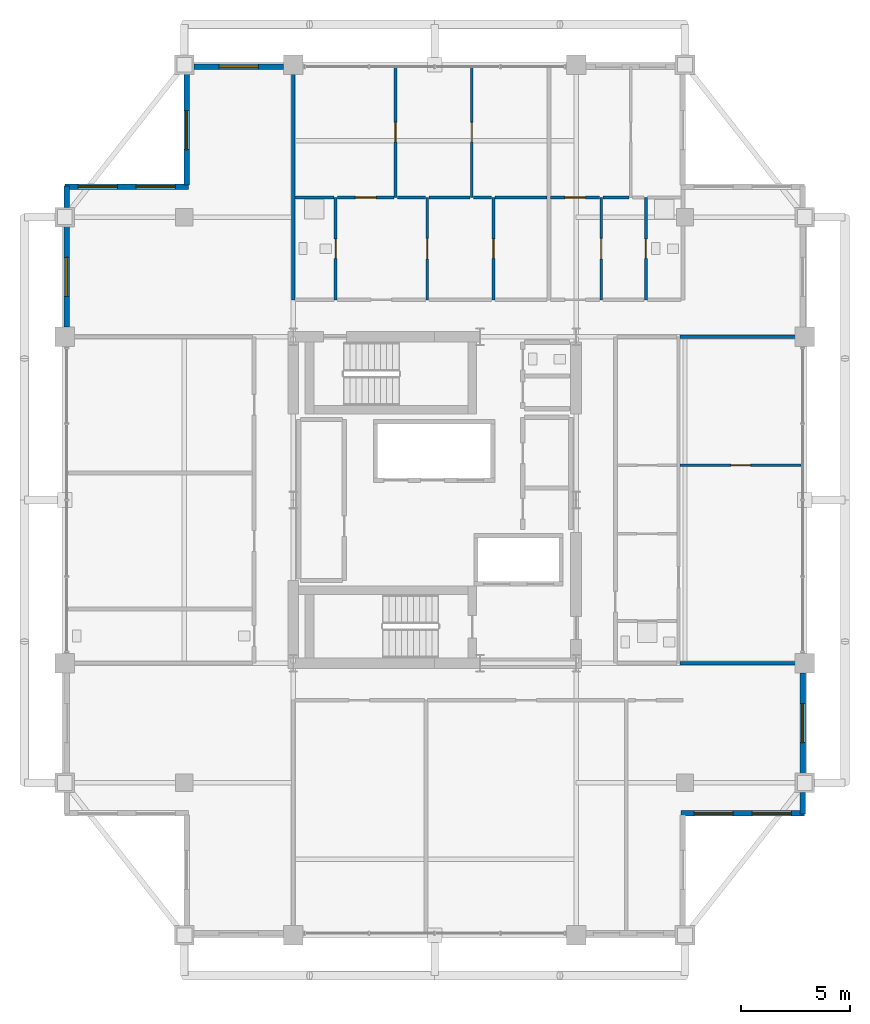
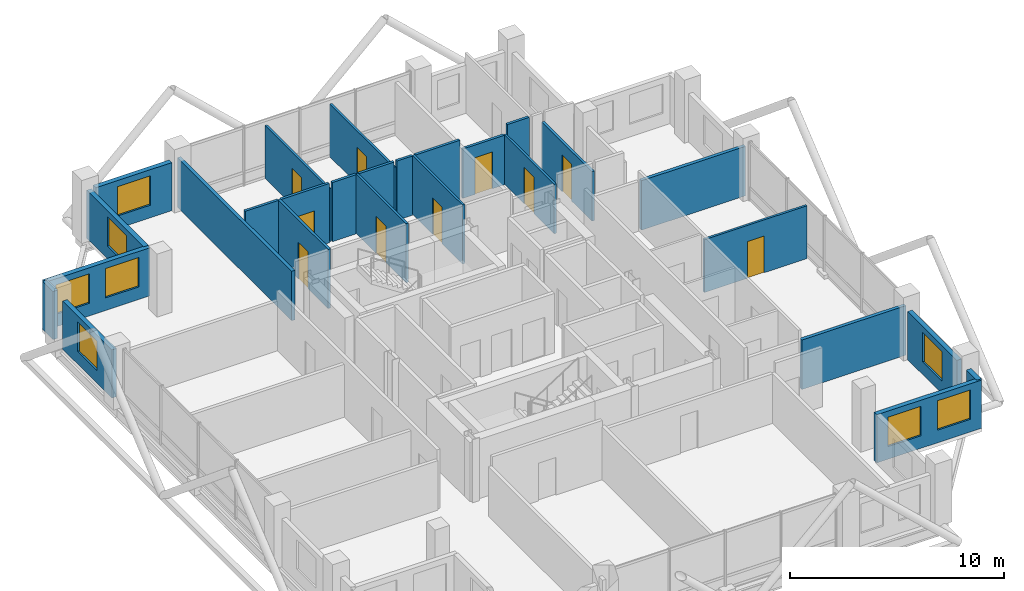
# One storey, part 21 of 24: 27 walls, 10 doors, 8 windows, 18 openings.
"""IFC4 building model written with IfcOpenShell, lengths in metres."""

import ifcopenshell
import ifcopenshell.guid

model = None  # the IFC model being written
_history = None  # IfcOwnerHistory: only IFC2X3 demands one
_inside = {}  # id of a spatial element -> (the spatial element, [elements in it])
_under = {}  # id of a project, library or spatial element -> (it, [spatial elements below it])
_declared = {}  # id of a project -> (the project, [libraries it declares])
_typed = {}  # id of a type object -> (the type object, [elements of that type])
_made_of = {}  # id of a material, layer set ... -> (it, [elements and type objects made of it])


def new_model(schema):
    """Start an empty IFC model of exactly this schema.

    Asked for "IFC4X3", IfcOpenShell would pick the latest addendum, in which some entities
    have other attributes; the version numbers below select the first issue.
    IFC2X3 requires an IfcOwnerHistory on every rooted entity: one is made here for all.
    """
    global model, _history
    if schema == "IFC4X3":
        model = ifcopenshell.file(schema_version=(4, 3, 0, 0))
    else:
        model = ifcopenshell.file(schema=schema)
    _inside.clear()
    _under.clear()
    _declared.clear()
    _typed.clear()
    _made_of.clear()
    _history = None
    if model.schema == "IFC2X3":
        org = make("IfcOrganization", Name="unknown")
        user = make(
            "IfcPersonAndOrganization",
            ThePerson=make("IfcPerson", FamilyName="unknown"),
            TheOrganization=org,
        )
        app = make(
            "IfcApplication",
            ApplicationDeveloper=org,
            Version="unknown",
            ApplicationFullName="unknown",
            ApplicationIdentifier="unknown",
        )
        _history = make(
            "IfcOwnerHistory",
            OwningUser=user,
            OwningApplication=app,
            ChangeAction="ADDED",
            CreationDate=0,
        )
    return model


def make(cls, **values):
    """One entity of the class cls with the attributes given. An attribute that is None is left unset."""
    return model.create_entity(
        cls, **{name: value for name, value in values.items() if value is not None}
    )


def rooted(cls, **values):
    """An entity with a GlobalId (a new one), such as an element, a storey or a relation."""
    return make(cls, GlobalId=ifcopenshell.guid.new(), OwnerHistory=_history, **values)


def si_unit(unit_type, name, prefix=None):
    """IfcSIUnit, for example si_unit("LENGTHUNIT", "METRE", prefix="MILLI")."""
    return make("IfcSIUnit", UnitType=unit_type, Prefix=prefix, Name=name)


def assignment(units):
    """IfcUnitAssignment: the units of a project."""
    return None if units is None else make("IfcUnitAssignment", Units=units)


def point(xyz):
    """IfcCartesianPoint."""
    return None if xyz is None else make("IfcCartesianPoint", Coordinates=xyz)


def direction(xyz):
    """IfcDirection."""
    return None if xyz is None else make("IfcDirection", DirectionRatios=xyz)


def frame(location, z_axis=None, x_axis=None):
    """IfcAxis2Placement3D, a coordinate frame: its origin and axes. An axis left out is left unset."""
    return make(
        "IfcAxis2Placement3D",
        Location=point(location),
        Axis=direction(z_axis),
        RefDirection=direction(x_axis),
    )


def frame_2d(location, x_axis=None):
    """IfcAxis2Placement2D, a coordinate frame in the plane: its origin and x axis."""
    return make(
        "IfcAxis2Placement2D", Location=point(location), RefDirection=direction(x_axis)
    )


def origin():
    """The frame at (0, 0, 0) with its axes left unset."""
    return frame((0.0, 0.0, 0.0))


def place(relative_to, where):
    """IfcLocalPlacement: puts the frame where relative to a parent placement (None: the world)."""
    return make(
        "IfcLocalPlacement", PlacementRelTo=relative_to, RelativePlacement=where
    )


def context(
    kind, dimensions, precision=None, world=None, true_north=None, identifier=None
):
    """IfcGeometricRepresentationContext, for example the 3D "Model" context."""
    return make(
        "IfcGeometricRepresentationContext",
        ContextIdentifier=identifier,
        ContextType=kind,
        CoordinateSpaceDimension=dimensions,
        Precision=precision,
        WorldCoordinateSystem=world,
        TrueNorth=true_north,
    )


def subcontext(parent, identifier, kind, view, scale=None):
    """IfcGeometricRepresentationSubContext, for example "Body" below "Model"."""
    return make(
        "IfcGeometricRepresentationSubContext",
        ContextIdentifier=identifier,
        ContextType=kind,
        ParentContext=parent,
        TargetScale=scale,
        TargetView=view,
    )


def project(units=None, contexts=None):
    """IfcProject with its units and contexts."""
    return rooted(
        "IfcProject",
        Name="project",
        RepresentationContexts=contexts,
        UnitsInContext=assignment(units),
    )


def spatial(cls, under=None, at=None, **own):
    """A site, building, storey or space (cls), placed at a placement, below another one or the project."""
    s = rooted(cls, ObjectPlacement=at, **own)
    if under is not None:
        _under.setdefault(under.id(), (under, []))[1].append(s)
    return s


def profile(cls, at=None, kind="AREA", **sizes):
    """A parametric profile (cls). Its sizes go by their IFC names, for example OverallWidth=200.0."""
    return make(cls, ProfileType=kind, Position=at, **sizes)


def rectangle(**sizes):
    """IfcRectangleProfileDef."""
    return profile("IfcRectangleProfileDef", **sizes)


def extrude(swept, where, along, depth):
    """IfcExtrudedAreaSolid: the profile swept, set in the frame where, extruded along a direction by depth."""
    return make(
        "IfcExtrudedAreaSolid",
        SweptArea=swept,
        Position=where,
        ExtrudedDirection=direction(along),
        Depth=depth,
    )


def shape(context_of_items, identifier, shape_type, items):
    """IfcShapeRepresentation: the items that make up one representation, for example the "Body"."""
    return make(
        "IfcShapeRepresentation",
        ContextOfItems=context_of_items,
        RepresentationIdentifier=identifier,
        RepresentationType=shape_type,
        Items=items,
    )


def material(Name=None, Category=None):
    """IfcMaterial."""
    return make("IfcMaterial", Name=Name, Category=Category)


def layer(
    of_material, thickness, ventilated=None, Name=None, Category=None, Priority=None
):
    """IfcMaterialLayer: one layer of a wall or slab, of a material (None: an air gap)."""
    return make(
        "IfcMaterialLayer",
        Material=of_material,
        LayerThickness=thickness,
        IsVentilated=ventilated,
        Name=Name,
        Category=Category,
        Priority=Priority,
    )


def layer_set(layers, Name=None):
    """IfcMaterialLayerSet."""
    return make("IfcMaterialLayerSet", MaterialLayers=layers, LayerSetName=Name)


def made_of(thing, what):
    """Note that an element or type object is made of a material, layer set ...; save() writes the relation."""
    if what is not None:
        _made_of.setdefault(what.id(), (what, []))[1].append(thing)
    return thing


def type_object(cls, material=None, **own):
    """A type object (cls), such as IfcWallType, which elements share."""
    return made_of(rooted(cls, **own), material)


def element(
    cls,
    number,
    at=None,
    inside=None,
    cuts=None,
    type_object=None,
    material=None,
    context=None,
    identifier="Body",
    shape_type=None,
    held_by="IfcProductDefinitionShape",
    body=None,
    shapes=None,
    **own,
):
    """One element of the class cls, such as IfcWall. Its Tag is "e" and its number.

    at: its placement. inside: the storey or other place that contains it. cuts: it is an
    opening in that element (IfcRelVoidsElement). A single representation is given by context,
    identifier, shape_type and body (its items); several are given by shapes. held_by: the class
    of the entity that holds the representations. save() writes the other relations.
    """
    e = rooted(cls, Tag="e%d" % number, ObjectPlacement=at, **own)
    if body is not None:
        shapes = [shape(context, identifier, shape_type, body)]
    if shapes is not None:
        e.Representation = make(held_by, Representations=shapes)
    if inside is not None:
        _inside.setdefault(inside.id(), (inside, []))[1].append(e)
    if cuts is not None:
        rooted(
            "IfcRelVoidsElement", RelatingBuildingElement=cuts, RelatedOpeningElement=e
        )
    if type_object is not None:
        _typed.setdefault(type_object.id(), (type_object, []))[1].append(e)
    return made_of(e, material)


def fill(opening, filler):
    """IfcRelFillsElement: the door or window that sits in an opening."""
    return rooted(
        "IfcRelFillsElement",
        RelatingOpeningElement=opening,
        RelatedBuildingElement=filler,
    )


def aggregate(whole, parts):
    """IfcRelAggregates: a whole, such as a stair, and the parts it consists of."""
    return rooted("IfcRelAggregates", RelatingObject=whole, RelatedObjects=parts)


def save(model, path):
    """Write the relations noted so far, then the file.

    IfcRelAggregates (storeys below a building ...), IfcRelContainedInSpatialStructure (elements
    in a storey), IfcRelDefinesByType, IfcRelAssociatesMaterial and IfcRelDeclares: one each for
    every whole, place, type object, material and project.
    """
    for whole, parts in _under.values():
        aggregate(whole, parts)
    for where, things in _inside.values():
        rooted(
            "IfcRelContainedInSpatialStructure",
            RelatedElements=things,
            RelatingStructure=where,
        )
    for kind, things in _typed.values():
        rooted("IfcRelDefinesByType", RelatedObjects=things, RelatingType=kind)
    for what, things in _made_of.values():
        rooted("IfcRelAssociatesMaterial", RelatedObjects=things, RelatingMaterial=what)
    for by, libraries in _declared.values():
        rooted("IfcRelDeclares", RelatingContext=by, RelatedDefinitions=libraries)
    model.write(path)


model = new_model("IFC4")

# Units and contexts
model_context = context("Model", 3, precision=1e-05, world=origin(), true_north=direction((0.0, 1.0)))
body_context = subcontext(model_context, "Body", "Model", "MODEL_VIEW")
ifc_project = project(units=[si_unit("LENGTHUNIT", "METRE"), si_unit("AREAUNIT", "SQUARE_METRE"), si_unit("VOLUMEUNIT", "CUBIC_METRE"), si_unit("PLANEANGLEUNIT", "RADIAN"), si_unit("MASSUNIT", "GRAM", prefix="KILO")], contexts=[model_context])

# Site, building, storey
site_placement = place(None, origin())
site = spatial("IfcSite", under=ifc_project, at=site_placement, CompositionType="ELEMENT")
building_placement = place(site_placement, origin())
building = spatial("IfcBuilding", under=site, at=building_placement, Name="Barlavira Tower and Art Museum", CompositionType="ELEMENT")
storey_placement = place(building_placement, frame((0.0, 0.0, 283.5)))
storey = spatial("IfcBuildingStorey", under=building, at=storey_placement, Name="L74", CompositionType="ELEMENT", Elevation=283.5)

# Wall, opening, door
ifc_material_1 = material(Name="Gypsum acoustic stud partition", Category="gypsum")
ifc_layer_1 = layer(ifc_material_1, 0.1201171875, Name="Gypsum acoustic stud partition")
ifc_layer_set_1 = layer_set([ifc_layer_1], Name="Gypsum acoustic stud partition")
wall_type_1 = type_object("IfcWallType", Name="Apartment Internal Acoustic Partition 120", PredefinedType="PARTITIONING", material=ifc_layer_set_1)
wall_1_placement = place(storey_placement, frame((-1.800048828125, 13.89990234375, 0.0), z_axis=(0.0, 0.0, 1.0), x_axis=(0.0, 1.0, 0.0)))
wall_1 = element("IfcWall", 1, at=wall_1_placement, inside=storey, type_object=wall_type_1, Name="L74 Partition Wall 7", PredefinedType="PARTITIONING", context=body_context, shape_type="SweptSolid", body=[
    extrude(rectangle(XDim=6.0, YDim=0.1201171875, at=frame_2d((3.0, 0.0))), origin(), (0.0, 0.0, 1.0), 3.01806640625),
])
opening_1_placement = place(wall_1_placement, frame((2.550048828125, 0.0, 0.0)))
opening_1 = element("IfcOpeningElement", 2, at=opening_1_placement, cuts=wall_1, Name="Opening D-01", PredefinedType="OPENING", context=body_context, shape_type="SweptSolid", body=[
    extrude(rectangle(XDim=0.89990234375, YDim=2.10009765625, at=frame_2d((0.449951171875, 1.050048828125))), frame((0.0, 0.070068359375, 0.0), z_axis=(0.0, -1.0, 0.0), x_axis=(1.0, 0.0, 0.0)), (0.0, 0.0, 1.0), 0.14013671875),
])
ifc_material_2 = material(Name="Engineered coastal hardwood", Category="wood")
door_type_1 = type_object("IfcDoorType", Name="Internal Bedroom Timber Flush Door 900x2100", OperationType="NOTDEFINED", PredefinedType="DOOR", material=ifc_material_2)
door_1_placement = place(opening_1_placement, origin())
door_1 = element("IfcDoor", 3, at=door_1_placement, inside=storey, type_object=door_type_1, Name="Apartment N1 Bedroom 1 Door", OperationType="SINGLE_SWING_LEFT", OverallHeight=2.10009765625, OverallWidth=0.89990234375, PredefinedType="DOOR", context=body_context, shape_type="SweptSolid", body=[
    extrude(rectangle(XDim=0.89990234375, YDim=2.10009765625, at=frame_2d((0.449951171875, 1.050048828125))), frame((0.0, 0.02490234375, 0.0), z_axis=(0.0, -1.0, 0.0), x_axis=(1.0, 0.0, 0.0)), (0.0, 0.0, 1.0), 0.050048828125),
])
fill(opening_1, door_1)

wall_2_placement = place(storey_placement, frame((-0.35009765625, 9.199951171875, 0.0), z_axis=(0.0, 0.0, 1.0), x_axis=(0.0, 1.0, 0.0)))
wall_2 = element("IfcWall", 4, at=wall_2_placement, inside=storey, type_object=wall_type_1, Name="L74 Partition Wall 9", PredefinedType="PARTITIONING", context=body_context, shape_type="SweptSolid", body=[
    extrude(rectangle(XDim=4.699951171875, YDim=0.1201171875, at=frame_2d((2.35009765625, 0.0))), origin(), (0.0, 0.0, 1.0), 3.3798828125),
])
opening_2_placement = place(wall_2_placement, frame((1.875, 0.0, 0.0)))
opening_2 = element("IfcOpeningElement", 5, at=opening_2_placement, cuts=wall_2, Name="Opening D-02", PredefinedType="OPENING", context=body_context, shape_type="SweptSolid", body=[
    extrude(rectangle(XDim=0.949951171875, YDim=2.10009765625, at=frame_2d((0.47509765625, 1.050048828125))), frame((0.0, 0.070068359375, 0.0), z_axis=(0.0, -1.0, 0.0), x_axis=(1.0, 0.0, 0.0)), (0.0, 0.0, 1.0), 0.14013671875),
])
door_type_2 = type_object("IfcDoorType", Name="Living and Salon Glazed-Leaf Door 950x2100", OperationType="NOTDEFINED", PredefinedType="DOOR", material=ifc_material_2)
door_2_placement = place(opening_2_placement, origin())
door_2 = element("IfcDoor", 6, at=door_2_placement, inside=storey, type_object=door_type_2, Name="Apartment N1 Kitchen Door", OperationType="SINGLE_SWING_RIGHT", OverallHeight=2.10009765625, OverallWidth=0.949951171875, PredefinedType="DOOR", context=body_context, shape_type="SweptSolid", body=[
    extrude(rectangle(XDim=0.949951171875, YDim=2.10009765625, at=frame_2d((0.47509765625, 1.050048828125))), frame((0.0, 0.02490234375, 0.0), z_axis=(0.0, -1.0, 0.0), x_axis=(1.0, 0.0, 0.0)), (0.0, 0.0, 1.0), 0.050048828125),
])
fill(opening_2, door_2)

wall_3_placement = place(storey_placement, frame((1.699951171875, 13.89990234375, 0.0), z_axis=(0.0, 0.0, 1.0), x_axis=(0.0, 1.0, 0.0)))
wall_3 = element("IfcWall", 7, at=wall_3_placement, inside=storey, type_object=wall_type_1, Name="L74 Partition Wall 10", PredefinedType="PARTITIONING", context=body_context, shape_type="SweptSolid", body=[
    extrude(rectangle(XDim=6.0, YDim=0.1201171875, at=frame_2d((3.0, 0.0))), origin(), (0.0, 0.0, 1.0), 3.01806640625),
])
opening_3_placement = place(wall_3_placement, frame((2.550048828125, 0.0, 0.0)))
opening_3 = element("IfcOpeningElement", 8, at=opening_3_placement, cuts=wall_3, Name="Opening D-01", PredefinedType="OPENING", context=body_context, shape_type="SweptSolid", body=[
    extrude(rectangle(XDim=0.89990234375, YDim=2.10009765625, at=frame_2d((0.449951171875, 1.050048828125))), frame((0.0, 0.070068359375, 0.0), z_axis=(0.0, -1.0, 0.0), x_axis=(1.0, 0.0, 0.0)), (0.0, 0.0, 1.0), 0.14013671875),
])
door_3_placement = place(opening_3_placement, origin())
door_3 = element("IfcDoor", 9, at=door_3_placement, inside=storey, type_object=door_type_1, Name="Apartment N1 Bedroom 2 Door", OperationType="SINGLE_SWING_RIGHT", OverallHeight=2.10009765625, OverallWidth=0.89990234375, PredefinedType="DOOR", context=body_context, shape_type="SweptSolid", body=[
    extrude(rectangle(XDim=0.89990234375, YDim=2.10009765625, at=frame_2d((0.449951171875, 1.050048828125))), frame((0.0, 0.02490234375, 0.0), z_axis=(0.0, -1.0, 0.0), x_axis=(1.0, 0.0, 0.0)), (0.0, 0.0, 1.0), 0.050048828125),
])
fill(opening_3, door_3)

wall_4_placement = place(storey_placement, frame((2.699951171875, 9.199951171875, 0.0), z_axis=(0.0, 0.0, 1.0), x_axis=(0.0, 1.0, 0.0)))
wall_4 = element("IfcWall", 10, at=wall_4_placement, inside=storey, type_object=wall_type_1, Name="L74 Partition Wall 11", PredefinedType="PARTITIONING", context=body_context, shape_type="SweptSolid", body=[
    extrude(rectangle(XDim=4.699951171875, YDim=0.1201171875, at=frame_2d((2.35009765625, 0.0))), origin(), (0.0, 0.0, 1.0), 3.3798828125),
])
opening_4_placement = place(wall_4_placement, frame((1.89990234375, 0.0, 0.0)))
opening_4 = element("IfcOpeningElement", 11, at=opening_4_placement, cuts=wall_4, Name="Opening D-01", PredefinedType="OPENING", context=body_context, shape_type="SweptSolid", body=[
    extrude(rectangle(XDim=0.89990234375, YDim=2.10009765625, at=frame_2d((0.449951171875, 1.050048828125))), frame((0.0, 0.070068359375, 0.0), z_axis=(0.0, -1.0, 0.0), x_axis=(1.0, 0.0, 0.0)), (0.0, 0.0, 1.0), 0.14013671875),
])
door_4_placement = place(opening_4_placement, origin())
door_4 = element("IfcDoor", 12, at=door_4_placement, inside=storey, type_object=door_type_1, Name="Apartment N1 Walk-In Dressing Room Door", OperationType="SINGLE_SWING_LEFT", OverallHeight=2.10009765625, OverallWidth=0.89990234375, PredefinedType="DOOR", context=body_context, shape_type="SweptSolid", body=[
    extrude(rectangle(XDim=0.89990234375, YDim=2.10009765625, at=frame_2d((0.449951171875, 1.050048828125))), frame((0.0, 0.02490234375, 0.0), z_axis=(0.0, -1.0, 0.0), x_axis=(1.0, 0.0, 0.0)), (0.0, 0.0, 1.0), 0.050048828125),
])
fill(opening_4, door_4)

wall_5_placement = place(storey_placement, frame((7.64990234375, 9.199951171875, 0.0), z_axis=(0.0, 0.0, 1.0), x_axis=(0.0, 1.0, 0.0)))
wall_5 = element("IfcWall", 13, at=wall_5_placement, inside=storey, type_object=wall_type_1, Name="L74 Partition Wall 16", PredefinedType="PARTITIONING", context=body_context, shape_type="SweptSolid", body=[
    extrude(rectangle(XDim=4.699951171875, YDim=0.1201171875, at=frame_2d((2.35009765625, 0.0))), origin(), (0.0, 0.0, 1.0), 2.825927734375),
])
opening_5_placement = place(wall_5_placement, frame((1.875, 0.0, 0.0)))
opening_5 = element("IfcOpeningElement", 14, at=opening_5_placement, cuts=wall_5, Name="Opening D-02", PredefinedType="OPENING", context=body_context, shape_type="SweptSolid", body=[
    extrude(rectangle(XDim=0.949951171875, YDim=2.10009765625, at=frame_2d((0.47509765625, 1.050048828125))), frame((0.0, 0.070068359375, 0.0), z_axis=(0.0, -1.0, 0.0), x_axis=(1.0, 0.0, 0.0)), (0.0, 0.0, 1.0), 0.14013671875),
])
door_5_placement = place(opening_5_placement, origin())
door_5 = element("IfcDoor", 15, at=door_5_placement, inside=storey, type_object=door_type_2, Name="Apartment N2 Kitchen Door", OperationType="SINGLE_SWING_RIGHT", OverallHeight=2.10009765625, OverallWidth=0.949951171875, PredefinedType="DOOR", context=body_context, shape_type="SweptSolid", body=[
    extrude(rectangle(XDim=0.949951171875, YDim=2.10009765625, at=frame_2d((0.47509765625, 1.050048828125))), frame((0.0, 0.02490234375, 0.0), z_axis=(0.0, -1.0, 0.0), x_axis=(1.0, 0.0, 0.0)), (0.0, 0.0, 1.0), 0.050048828125),
])
fill(opening_5, door_5)

wall_6_placement = place(storey_placement, frame((11.280029296875, 1.60009765625, 0.0), z_axis=(0.0, 0.0, 1.0), x_axis=(1.0, 0.0, 0.0)))
wall_6 = element("IfcWall", 16, at=wall_6_placement, inside=storey, type_object=wall_type_1, Name="L74 Partition Wall 36", PredefinedType="PARTITIONING", context=body_context, shape_type="SweptSolid", body=[
    extrude(rectangle(XDim=5.5400390625, YDim=0.1201171875, at=frame_2d((2.77001953125, 0.0))), origin(), (0.0, 0.0, 1.0), 3.01806640625),
])
opening_6_placement = place(wall_6_placement, frame((2.330078125, 0.0, 0.0)))
opening_6 = element("IfcOpeningElement", 17, at=opening_6_placement, cuts=wall_6, Name="Opening D-01", PredefinedType="OPENING", context=body_context, shape_type="SweptSolid", body=[
    extrude(rectangle(XDim=0.89990234375, YDim=2.10009765625, at=frame_2d((0.449951171875, 1.050048828125))), frame((0.0, 0.070068359375, 0.0), z_axis=(0.0, -1.0, 0.0), x_axis=(1.0, 0.0, 0.0)), (0.0, 0.0, 1.0), 0.14013671875),
])
door_6_placement = place(opening_6_placement, origin())
door_6 = element("IfcDoor", 18, at=door_6_placement, inside=storey, type_object=door_type_1, Name="Apartment E1 Bedroom 1 Door", OperationType="SINGLE_SWING_RIGHT", OverallHeight=2.10009765625, OverallWidth=0.89990234375, PredefinedType="DOOR", context=body_context, shape_type="SweptSolid", body=[
    extrude(rectangle(XDim=0.89990234375, YDim=2.10009765625, at=frame_2d((0.449951171875, 1.050048828125))), frame((0.0, 0.02490234375, 0.0), z_axis=(0.0, -1.0, 0.0), x_axis=(1.0, 0.0, 0.0)), (0.0, 0.0, 1.0), 0.050048828125),
])
fill(opening_6, door_6)

# Walls
ifc_layer_2 = layer(ifc_material_1, 0.179931640625, Name="Gypsum acoustic stud partition")
ifc_layer_set_2 = layer_set([ifc_layer_2], Name="Gypsum acoustic stud partition")
wall_type_2 = type_object("IfcWallType", Name="Inter-Tenancy Party Partition Wall 180", PredefinedType="PARTITIONING", material=ifc_layer_set_2)
wall_7_placement = place(storey_placement, frame((-6.5, 9.199951171875, 0.0), z_axis=(0.0, 0.0, 1.0), x_axis=(0.0, 1.0, 0.0)))
element("IfcWall", 19, at=wall_7_placement, inside=storey, type_object=wall_type_2, Name="L74 Partition Wall 3", PredefinedType="PARTITIONING", context=body_context, shape_type="SweptSolid", body=[
    extrude(rectangle(XDim=10.699951171875, YDim=0.179931640625, at=frame_2d((5.35009765625, 0.0))), origin(), (0.0, 0.0, 1.0), 2.825927734375),
])
for number, where, z_axis, x_axis, name in (
    (20, (11.280029296875, -7.5, 0.0), (0.0, 0.0, 1.0), (1.0, 0.0, 0.0), "L74 Partition Wall 28"),
    (21, (11.280029296875, 7.5, 0.0), (0.0, 0.0, 1.0), (1.0, 0.0, 0.0), "L74 Partition Wall 44"),
):
    element("IfcWall", number, at=place(storey_placement, frame(where, z_axis=z_axis, x_axis=x_axis)), inside=storey, type_object=wall_type_2, Name=name, PredefinedType="PARTITIONING", context=body_context, shape_type="SweptSolid", body=[
        extrude(rectangle(XDim=5.619873046875, YDim=0.179931640625, at=frame_2d((2.81005859375, 0.0))), origin(), (0.0, 0.0, 1.0), 2.825927734375),
    ])

# Wall, opening, door
ifc_layer_3 = layer(ifc_material_1, 0.139892578125, Name="Gypsum acoustic stud partition")
ifc_layer_set_3 = layer_set([ifc_layer_3], Name="Gypsum acoustic stud partition")
wall_type_3 = type_object("IfcWallType", Name="Moisture-Resistant Bathroom Partition 140", PredefinedType="PARTITIONING", material=ifc_layer_set_3)
wall_8_placement = place(storey_placement, frame((-4.550048828125, 9.199951171875, 0.0), z_axis=(0.0, 0.0, 1.0), x_axis=(0.0, 1.0, 0.0)))
wall_8 = element("IfcWall", 22, at=wall_8_placement, inside=storey, type_object=wall_type_3, Name="L74 Partition Wall 5", PredefinedType="PARTITIONING", context=body_context, shape_type="SweptSolid", body=[
    extrude(rectangle(XDim=4.699951171875, YDim=0.139892578125, at=frame_2d((2.35009765625, 0.0))), origin(), (0.0, 0.0, 1.0), 3.3798828125),
])
opening_7_placement = place(wall_8_placement, frame((1.89990234375, 0.0, 0.0)))
opening_7 = element("IfcOpeningElement", 23, at=opening_7_placement, cuts=wall_8, Name="Opening D-WC", PredefinedType="OPENING", context=body_context, shape_type="SweptSolid", body=[
    extrude(rectangle(XDim=0.89990234375, YDim=2.10009765625, at=frame_2d((0.449951171875, 1.050048828125))), frame((0.0, 0.080078125, 0.0), z_axis=(0.0, -1.0, 0.0), x_axis=(1.0, 0.0, 0.0)), (0.0, 0.0, 1.0), 0.159912109375),
])
door_type_3 = type_object("IfcDoorType", Name="Accessible Bathroom Flush Door 900x2100", OperationType="NOTDEFINED", PredefinedType="DOOR", material=ifc_material_2)
door_7_placement = place(opening_7_placement, origin())
door_7 = element("IfcDoor", 24, at=door_7_placement, inside=storey, type_object=door_type_3, Name="Apartment N1 Hall Bathroom Door", OperationType="SINGLE_SWING_RIGHT", OverallHeight=2.10009765625, OverallWidth=0.89990234375, PredefinedType="DOOR", context=body_context, shape_type="SweptSolid", body=[
    extrude(rectangle(XDim=0.89990234375, YDim=2.10009765625, at=frame_2d((0.449951171875, 1.050048828125))), frame((0.0, 0.02490234375, 0.0), z_axis=(0.0, -1.0, 0.0), x_axis=(1.0, 0.0, 0.0)), (0.0, 0.0, 1.0), 0.050048828125),
])
fill(opening_7, door_7)

wall_9_placement = place(storey_placement, frame((9.699951171875, 9.199951171875, 0.0), z_axis=(0.0, 0.0, 1.0), x_axis=(0.0, 1.0, 0.0)))
wall_9 = element("IfcWall", 25, at=wall_9_placement, inside=storey, type_object=wall_type_3, Name="L74 Partition Wall 20", PredefinedType="PARTITIONING", context=body_context, shape_type="SweptSolid", body=[
    extrude(rectangle(XDim=4.699951171875, YDim=0.139892578125, at=frame_2d((2.35009765625, 0.0))), origin(), (0.0, 0.0, 1.0), 2.825927734375),
])
opening_8_placement = place(wall_9_placement, frame((1.89990234375, 0.0, 0.0)))
opening_8 = element("IfcOpeningElement", 26, at=opening_8_placement, cuts=wall_9, Name="Opening D-WC", PredefinedType="OPENING", context=body_context, shape_type="SweptSolid", body=[
    extrude(rectangle(XDim=0.89990234375, YDim=2.10009765625, at=frame_2d((0.449951171875, 1.050048828125))), frame((0.0, 0.080078125, 0.0), z_axis=(0.0, -1.0, 0.0), x_axis=(1.0, 0.0, 0.0)), (0.0, 0.0, 1.0), 0.159912109375),
])
door_8_placement = place(opening_8_placement, origin())
door_8 = element("IfcDoor", 27, at=door_8_placement, inside=storey, type_object=door_type_3, Name="Apartment N2 Hall Bathroom Door", OperationType="SINGLE_SWING_LEFT", OverallHeight=2.10009765625, OverallWidth=0.89990234375, PredefinedType="DOOR", context=body_context, shape_type="SweptSolid", body=[
    extrude(rectangle(XDim=0.89990234375, YDim=2.10009765625, at=frame_2d((0.449951171875, 1.050048828125))), frame((0.0, 0.02490234375, 0.0), z_axis=(0.0, -1.0, 0.0), x_axis=(1.0, 0.0, 0.0)), (0.0, 0.0, 1.0), 0.050048828125),
])
fill(opening_8, door_8)

# Wall
wall_10_placement = place(storey_placement, frame((-6.419921875, 13.89990234375, 0.0), z_axis=(0.0, 0.0, 1.0), x_axis=(1.0, 0.0, 0.0)))
element("IfcWall", 28, at=wall_10_placement, inside=storey, type_object=wall_type_3, Name="L74 Partition Wall 52", PredefinedType="PARTITIONING", context=body_context, shape_type="SweptSolid", body=[
    extrude(rectangle(XDim=1.7900390625, YDim=0.139892578125, at=frame_2d((0.89501953125, 0.0))), origin(), (0.0, 0.0, 1.0), 3.3798828125),
])

# Wall, opening, door
wall_11_placement = place(storey_placement, frame((-4.469970703125, 13.89990234375, 0.0), z_axis=(0.0, 0.0, 1.0), x_axis=(1.0, 0.0, 0.0)))
wall_11 = element("IfcWall", 29, at=wall_11_placement, inside=storey, type_object=wall_type_3, Name="L74 Partition Wall 53", PredefinedType="PARTITIONING", context=body_context, shape_type="SweptSolid", body=[
    extrude(rectangle(XDim=2.590087890625, YDim=0.139892578125, at=frame_2d((1.294921875, 0.0))), origin(), (0.0, 0.0, 1.0), 3.3798828125),
])
opening_9_placement = place(wall_11_placement, frame((0.824951171875, 0.0, 0.0)))
opening_9 = element("IfcOpeningElement", 30, at=opening_9_placement, cuts=wall_11, Name="Opening D-02", PredefinedType="OPENING", context=body_context, shape_type="SweptSolid", body=[
    extrude(rectangle(XDim=0.949951171875, YDim=2.10009765625, at=frame_2d((0.47509765625, 1.050048828125))), frame((0.0, 0.080078125, 0.0), z_axis=(0.0, -1.0, 0.0), x_axis=(1.0, 0.0, 0.0)), (0.0, 0.0, 1.0), 0.159912109375),
])
door_9_placement = place(opening_9_placement, origin())
door_9 = element("IfcDoor", 31, at=door_9_placement, inside=storey, type_object=door_type_2, Name="Apartment N1 Living Lounge Door", OperationType="SINGLE_SWING_RIGHT", OverallHeight=2.10009765625, OverallWidth=0.949951171875, PredefinedType="DOOR", context=body_context, shape_type="SweptSolid", body=[
    extrude(rectangle(XDim=0.949951171875, YDim=2.10009765625, at=frame_2d((0.47509765625, 1.050048828125))), frame((0.0, 0.02490234375, 0.0), z_axis=(0.0, -1.0, 0.0), x_axis=(1.0, 0.0, 0.0)), (0.0, 0.0, 1.0), 0.050048828125),
])
fill(opening_9, door_9)

# Walls
wall_12_placement = place(storey_placement, frame((-1.719970703125, 13.89990234375, 0.0), z_axis=(0.0, 0.0, 1.0), x_axis=(1.0, 0.0, 0.0)))
element("IfcWall", 32, at=wall_12_placement, inside=storey, type_object=wall_type_3, Name="L74 Partition Wall 54", PredefinedType="PARTITIONING", context=body_context, shape_type="SweptSolid", body=[
    extrude(rectangle(XDim=1.2900390625, YDim=0.139892578125, at=frame_2d((0.64501953125, 0.0))), origin(), (0.0, 0.0, 1.0), 3.3798828125),
])
wall_13_placement = place(storey_placement, frame((-0.27001953125, 13.89990234375, 0.0), z_axis=(0.0, 0.0, 1.0), x_axis=(1.0, 0.0, 0.0)))
element("IfcWall", 33, at=wall_13_placement, inside=storey, type_object=wall_type_3, Name="L74 Partition Wall 55", PredefinedType="PARTITIONING", context=body_context, shape_type="SweptSolid", body=[
    extrude(rectangle(XDim=1.89013671875, YDim=0.139892578125, at=frame_2d((0.945068359375, 0.0))), origin(), (0.0, 0.0, 1.0), 3.3798828125),
])
wall_14_placement = place(storey_placement, frame((1.780029296875, 13.89990234375, 0.0), z_axis=(0.0, 0.0, 1.0), x_axis=(1.0, 0.0, 0.0)))
element("IfcWall", 34, at=wall_14_placement, inside=storey, type_object=wall_type_3, Name="L74 Partition Wall 56", PredefinedType="PARTITIONING", context=body_context, shape_type="SweptSolid", body=[
    extrude(rectangle(XDim=0.840087890625, YDim=0.139892578125, at=frame_2d((0.419921875, 0.0))), origin(), (0.0, 0.0, 1.0), 3.3798828125),
])
wall_15_placement = place(storey_placement, frame((2.780029296875, 13.89990234375, 0.0), z_axis=(0.0, 0.0, 1.0), x_axis=(1.0, 0.0, 0.0)))
element("IfcWall", 35, at=wall_15_placement, inside=storey, type_object=wall_type_3, Name="L74 Partition Wall 57", PredefinedType="PARTITIONING", context=body_context, shape_type="SweptSolid", body=[
    extrude(rectangle(XDim=2.389892578125, YDim=0.139892578125, at=frame_2d((1.19482421875, 0.0))), origin(), (0.0, 0.0, 1.0), 3.3798828125),
])

# Wall, opening, door
wall_16_placement = place(storey_placement, frame((5.330078125, 13.89990234375, 0.0), z_axis=(0.0, 0.0, 1.0), x_axis=(1.0, 0.0, 0.0)))
wall_16 = element("IfcWall", 36, at=wall_16_placement, inside=storey, type_object=wall_type_3, Name="L74 Partition Wall 58", PredefinedType="PARTITIONING", context=body_context, shape_type="SweptSolid", body=[
    extrude(rectangle(XDim=2.239990234375, YDim=0.139892578125, at=frame_2d((1.1201171875, 0.0))), origin(), (0.0, 0.0, 1.0), 2.825927734375),
])
opening_10_placement = place(wall_16_placement, frame((0.64501953125, 0.0, 0.0)))
opening_10 = element("IfcOpeningElement", 37, at=opening_10_placement, cuts=wall_16, Name="Opening D-02", PredefinedType="OPENING", context=body_context, shape_type="SweptSolid", body=[
    extrude(rectangle(XDim=0.949951171875, YDim=2.10009765625, at=frame_2d((0.47509765625, 1.050048828125))), frame((0.0, 0.080078125, 0.0), z_axis=(0.0, -1.0, 0.0), x_axis=(1.0, 0.0, 0.0)), (0.0, 0.0, 1.0), 0.159912109375),
])
door_10_placement = place(opening_10_placement, origin())
door_10 = element("IfcDoor", 38, at=door_10_placement, inside=storey, type_object=door_type_2, Name="Apartment N2 Living Lounge Door", OperationType="SINGLE_SWING_RIGHT", OverallHeight=2.10009765625, OverallWidth=0.949951171875, PredefinedType="DOOR", context=body_context, shape_type="SweptSolid", body=[
    extrude(rectangle(XDim=0.949951171875, YDim=2.10009765625, at=frame_2d((0.47509765625, 1.050048828125))), frame((0.0, 0.02490234375, 0.0), z_axis=(0.0, -1.0, 0.0), x_axis=(1.0, 0.0, 0.0)), (0.0, 0.0, 1.0), 0.050048828125),
])
fill(opening_10, door_10)

# Wall
wall_17_placement = place(storey_placement, frame((7.72998046875, 13.89990234375, 0.0), z_axis=(0.0, 0.0, 1.0), x_axis=(1.0, 0.0, 0.0)))
element("IfcWall", 39, at=wall_17_placement, inside=storey, type_object=wall_type_3, Name="L74 Partition Wall 59", PredefinedType="PARTITIONING", context=body_context, shape_type="SweptSolid", body=[
    extrude(rectangle(XDim=1.18994140625, YDim=0.139892578125, at=frame_2d((0.594970703125, 0.0))), origin(), (0.0, 0.0, 1.0), 3.3798828125),
])

# Wall, opening, window
ifc_material_3 = material(Name="Precast concrete C40", Category="concrete")
ifc_layer_4 = layer(ifc_material_3, 0.25, Name="Precast concrete C40")
ifc_layer_set_4 = layer_set([ifc_layer_4], Name="Precast concrete C40")
wall_type_4 = type_object("IfcWallType", Name="Notched Corner Spandrel Wall 250 Precast Concrete C40", PredefinedType="SOLIDWALL", material=ifc_layer_set_4)
wall_18_placement = place(storey_placement, frame((-6.945068359375, 19.89990234375, 0.0), z_axis=(0.0, 0.0, 1.0), x_axis=(-1.0, 0.0, 0.0)))
wall_18 = element("IfcWall", 40, at=wall_18_placement, inside=storey, type_object=wall_type_4, Name="L74 Coastal Facade Pier Wall CW4-L74-N-3", PredefinedType="SOLIDWALL", context=body_context, shape_type="SweptSolid", body=[
    extrude(rectangle(XDim=4.10986328125, YDim=0.25, at=frame_2d((2.054931640625, 0.0))), origin(), (0.0, 0.0, 1.0), 2.748046875),
])
opening_11_placement = place(wall_18_placement, frame((1.155029296875, 0.0, 0.719970703125)))
opening_11 = element("IfcOpeningElement", 41, at=opening_11_placement, cuts=wall_18, Name="Opening WN-01", PredefinedType="OPENING", context=body_context, shape_type="SweptSolid", body=[
    extrude(rectangle(XDim=1.800048828125, YDim=1.679931640625, at=frame_2d((0.89990234375, 0.83984375))), frame((0.0, 0.135009765625, 0.0), z_axis=(0.0, -1.0, 0.0), x_axis=(1.0, 0.0, 0.0)), (0.0, 0.0, 1.0), 0.27001953125),
])
ifc_material_4 = material(Name="Low-iron coastal laminated glass", Category="glass")
window_type = type_object("IfcWindowType", Name="Recessed Notch Corner Punch Window 1800x1680", PartitioningType="SINGLE_PANEL", PredefinedType="WINDOW", material=ifc_material_4)
window_1_placement = place(opening_11_placement, origin())
window_1 = element("IfcWindow", 42, at=window_1_placement, inside=storey, type_object=window_type, Name="L74 Punched Facade Window EWP-CW4-L74-N-3-1", OverallHeight=1.679931640625, OverallWidth=1.800048828125, PartitioningType="SINGLE_PANEL", PredefinedType="WINDOW", context=body_context, shape_type="SweptSolid", body=[
    extrude(rectangle(XDim=1.800048828125, YDim=1.679931640625, at=frame_2d((0.89990234375, 0.83984375))), frame((0.0, 0.030029296875, 0.0), z_axis=(0.0, -1.0, 0.0), x_axis=(1.0, 0.0, 0.0)), (0.0, 0.0, 1.0), 0.06005859375),
])
fill(opening_11, window_1)

# Wall
wall_19_placement = place(storey_placement, frame((-16.89990234375, 14.425048828125, 0.0), z_axis=(0.0, 0.0, 1.0), x_axis=(0.0, -1.0, 0.0)))
element("IfcWall", 43, at=wall_19_placement, inside=storey, type_object=wall_type_4, Name="L74 Coastal Facade Pier Wall CW4-L74-W-1", PredefinedType="SOLIDWALL", context=body_context, shape_type="SweptSolid", body=[
    extrude(rectangle(XDim=0.97998046875, YDim=0.25, at=frame_2d((0.489990234375, 0.0))), origin(), (0.0, 0.0, 1.0), 2.748046875),
])

# Wall, opening, window
wall_20_placement = place(storey_placement, frame((-16.89990234375, 12.554931640625, 0.0), z_axis=(0.0, 0.0, 1.0), x_axis=(0.0, -1.0, 0.0)))
wall_20 = element("IfcWall", 44, at=wall_20_placement, inside=storey, type_object=wall_type_4, Name="L74 Coastal Facade Pier Wall CW4-L74-W-2", PredefinedType="SOLIDWALL", context=body_context, shape_type="SweptSolid", body=[
    extrude(rectangle(XDim=4.60986328125, YDim=0.25, at=frame_2d((2.304931640625, 0.0))), origin(), (0.0, 0.0, 1.0), 2.748046875),
])
opening_12_placement = place(wall_20_placement, frame((1.405029296875, 0.0, 0.719970703125)))
opening_12 = element("IfcOpeningElement", 45, at=opening_12_placement, cuts=wall_20, Name="Opening WN-01", PredefinedType="OPENING", context=body_context, shape_type="SweptSolid", body=[
    extrude(rectangle(XDim=1.800048828125, YDim=1.679931640625, at=frame_2d((0.89990234375, 0.83984375))), frame((0.0, 0.135009765625, 0.0), z_axis=(0.0, -1.0, 0.0), x_axis=(1.0, 0.0, 0.0)), (0.0, 0.0, 1.0), 0.27001953125),
])
window_2_placement = place(opening_12_placement, origin())
window_2 = element("IfcWindow", 46, at=window_2_placement, inside=storey, type_object=window_type, Name="L74 Punched Facade Window EWP-CW4-L74-W-2-1", OverallHeight=1.679931640625, OverallWidth=1.800048828125, PartitioningType="SINGLE_PANEL", PredefinedType="WINDOW", context=body_context, shape_type="SweptSolid", body=[
    extrude(rectangle(XDim=1.800048828125, YDim=1.679931640625, at=frame_2d((0.89990234375, 0.83984375))), frame((0.0, 0.030029296875, 0.0), z_axis=(0.0, -1.0, 0.0), x_axis=(1.0, 0.0, 0.0)), (0.0, 0.0, 1.0), 0.06005859375),
])
fill(opening_12, window_2)

# Wall
wall_21_placement = place(storey_placement, frame((16.89990234375, -14.425048828125, 0.0), z_axis=(0.0, 0.0, 1.0), x_axis=(0.0, 1.0, 0.0)))
element("IfcWall", 47, at=wall_21_placement, inside=storey, type_object=wall_type_4, Name="L74 Coastal Facade Pier Wall CW4-L74-E-1", PredefinedType="SOLIDWALL", context=body_context, shape_type="SweptSolid", body=[
    extrude(rectangle(XDim=0.97998046875, YDim=0.25, at=frame_2d((0.489990234375, 0.0))), origin(), (0.0, 0.0, 1.0), 2.748046875),
])

# Wall, opening, window
wall_22_placement = place(storey_placement, frame((16.89990234375, -12.554931640625, 0.0), z_axis=(0.0, 0.0, 1.0), x_axis=(0.0, 1.0, 0.0)))
wall_22 = element("IfcWall", 48, at=wall_22_placement, inside=storey, type_object=wall_type_4, Name="L74 Coastal Facade Pier Wall CW4-L74-E-2", PredefinedType="SOLIDWALL", context=body_context, shape_type="SweptSolid", body=[
    extrude(rectangle(XDim=4.60986328125, YDim=0.25, at=frame_2d((2.304931640625, 0.0))), origin(), (0.0, 0.0, 1.0), 2.748046875),
])
opening_13_placement = place(wall_22_placement, frame((1.405029296875, 0.0, 0.719970703125)))
opening_13 = element("IfcOpeningElement", 49, at=opening_13_placement, cuts=wall_22, Name="Opening WN-01", PredefinedType="OPENING", context=body_context, shape_type="SweptSolid", body=[
    extrude(rectangle(XDim=1.800048828125, YDim=1.679931640625, at=frame_2d((0.89990234375, 0.83984375))), frame((0.0, 0.135009765625, 0.0), z_axis=(0.0, -1.0, 0.0), x_axis=(1.0, 0.0, 0.0)), (0.0, 0.0, 1.0), 0.27001953125),
])
window_3_placement = place(opening_13_placement, origin())
window_3 = element("IfcWindow", 50, at=window_3_placement, inside=storey, type_object=window_type, Name="L74 Punched Facade Window EWP-CW4-L74-E-2-1", OverallHeight=1.679931640625, OverallWidth=1.800048828125, PartitioningType="SINGLE_PANEL", PredefinedType="WINDOW", context=body_context, shape_type="SweptSolid", body=[
    extrude(rectangle(XDim=1.800048828125, YDim=1.679931640625, at=frame_2d((0.89990234375, 0.83984375))), frame((0.0, 0.030029296875, 0.0), z_axis=(0.0, -1.0, 0.0), x_axis=(1.0, 0.0, 0.0)), (0.0, 0.0, 1.0), 0.06005859375),
])
fill(opening_13, window_3)

# Wall, openings, windows
wall_23_placement = place(storey_placement, frame((11.320068359375, -14.39990234375, 0.0), z_axis=(0.0, 0.0, 1.0), x_axis=(1.0, 0.0, 0.0)))
wall_23 = element("IfcWall", 51, at=wall_23_placement, inside=storey, type_object=wall_type_4, Name="L74 Notch Corner Wall SE2", PredefinedType="SOLIDWALL", context=body_context, shape_type="SweptSolid", body=[
    extrude(rectangle(XDim=5.659912109375, YDim=0.25, at=frame_2d((2.830078125, 0.0))), origin(), (0.0, 0.0, 1.0), 2.748046875),
])
opening_14_placement = place(wall_23_placement, frame((0.594970703125, 0.0, 0.719970703125)))
opening_14 = element("IfcOpeningElement", 52, at=opening_14_placement, cuts=wall_23, Name="Opening WN-01", PredefinedType="OPENING", context=body_context, shape_type="SweptSolid", body=[
    extrude(rectangle(XDim=1.800048828125, YDim=1.679931640625, at=frame_2d((0.89990234375, 0.83984375))), frame((0.0, 0.135009765625, 0.0), z_axis=(0.0, -1.0, 0.0), x_axis=(1.0, 0.0, 0.0)), (0.0, 0.0, 1.0), 0.27001953125),
])
opening_15_placement = place(wall_23_placement, frame((3.264892578125, 0.0, 0.719970703125)))
opening_15 = element("IfcOpeningElement", 53, at=opening_15_placement, cuts=wall_23, Name="Opening WN-01", PredefinedType="OPENING", context=body_context, shape_type="SweptSolid", body=[
    extrude(rectangle(XDim=1.800048828125, YDim=1.679931640625, at=frame_2d((0.89990234375, 0.83984375))), frame((0.0, 0.135009765625, 0.0), z_axis=(0.0, -1.0, 0.0), x_axis=(1.0, 0.0, 0.0)), (0.0, 0.0, 1.0), 0.27001953125),
])
window_4_placement = place(opening_14_placement, origin())
window_4 = element("IfcWindow", 54, at=window_4_placement, inside=storey, type_object=window_type, Name="L74 Punched Facade Window EW-NTC-L74-SE2-1", OverallHeight=1.679931640625, OverallWidth=1.800048828125, PartitioningType="SINGLE_PANEL", PredefinedType="WINDOW", context=body_context, shape_type="SweptSolid", body=[
    extrude(rectangle(XDim=1.800048828125, YDim=1.679931640625, at=frame_2d((0.89990234375, 0.83984375))), frame((0.0, 0.030029296875, 0.0), z_axis=(0.0, -1.0, 0.0), x_axis=(1.0, 0.0, 0.0)), (0.0, 0.0, 1.0), 0.06005859375),
])
fill(opening_14, window_4)
window_5_placement = place(opening_15_placement, origin())
window_5 = element("IfcWindow", 55, at=window_5_placement, inside=storey, type_object=window_type, Name="L74 Punched Facade Window EW-NTC-L74-SE2-2", OverallHeight=1.679931640625, OverallWidth=1.800048828125, PartitioningType="SINGLE_PANEL", PredefinedType="WINDOW", context=body_context, shape_type="SweptSolid", body=[
    extrude(rectangle(XDim=1.800048828125, YDim=1.679931640625, at=frame_2d((0.89990234375, 0.83984375))), frame((0.0, 0.030029296875, 0.0), z_axis=(0.0, -1.0, 0.0), x_axis=(1.0, 0.0, 0.0)), (0.0, 0.0, 1.0), 0.06005859375),
])
fill(opening_15, window_5)

# Wall, opening, window
wall_24_placement = place(storey_placement, frame((-11.39990234375, 19.820068359375, 0.0), z_axis=(0.0, 0.0, 1.0), x_axis=(0.0, -1.0, 0.0)))
wall_24 = element("IfcWall", 56, at=wall_24_placement, inside=storey, type_object=wall_type_4, Name="L74 Notch Corner Wall NW1", PredefinedType="SOLIDWALL", context=body_context, shape_type="SweptSolid", body=[
    extrude(rectangle(XDim=5.340087890625, YDim=0.25, at=frame_2d((2.669921875, 0.0))), origin(), (0.0, 0.0, 1.0), 2.748046875),
])
opening_16_placement = place(wall_24_placement, frame((1.925048828125, 0.0, 0.719970703125)))
opening_16 = element("IfcOpeningElement", 57, at=opening_16_placement, cuts=wall_24, Name="Opening WN-01", PredefinedType="OPENING", context=body_context, shape_type="SweptSolid", body=[
    extrude(rectangle(XDim=1.800048828125, YDim=1.679931640625, at=frame_2d((0.89990234375, 0.83984375))), frame((0.0, 0.135009765625, 0.0), z_axis=(0.0, -1.0, 0.0), x_axis=(1.0, 0.0, 0.0)), (0.0, 0.0, 1.0), 0.27001953125),
])
window_6_placement = place(opening_16_placement, origin())
window_6 = element("IfcWindow", 58, at=window_6_placement, inside=storey, type_object=window_type, Name="L74 Punched Facade Window EW-NTC-L74-NW1-1", OverallHeight=1.679931640625, OverallWidth=1.800048828125, PartitioningType="SINGLE_PANEL", PredefinedType="WINDOW", context=body_context, shape_type="SweptSolid", body=[
    extrude(rectangle(XDim=1.800048828125, YDim=1.679931640625, at=frame_2d((0.89990234375, 0.83984375))), frame((0.0, 0.030029296875, 0.0), z_axis=(0.0, -1.0, 0.0), x_axis=(1.0, 0.0, 0.0)), (0.0, 0.0, 1.0), 0.06005859375),
])
fill(opening_16, window_6)

# Wall, openings, windows
wall_25_placement = place(storey_placement, frame((-11.320068359375, 14.39990234375, 0.0), z_axis=(0.0, 0.0, 1.0), x_axis=(-1.0, 0.0, 0.0)))
wall_25 = element("IfcWall", 59, at=wall_25_placement, inside=storey, type_object=wall_type_4, Name="L74 Notch Corner Wall NW2", PredefinedType="SOLIDWALL", context=body_context, shape_type="SweptSolid", body=[
    extrude(rectangle(XDim=5.659912109375, YDim=0.25, at=frame_2d((2.830078125, 0.0))), origin(), (0.0, 0.0, 1.0), 2.748046875),
])
opening_17_placement = place(wall_25_placement, frame((0.594970703125, 0.0, 0.719970703125)))
opening_17 = element("IfcOpeningElement", 60, at=opening_17_placement, cuts=wall_25, Name="Opening WN-01", PredefinedType="OPENING", context=body_context, shape_type="SweptSolid", body=[
    extrude(rectangle(XDim=1.800048828125, YDim=1.679931640625, at=frame_2d((0.89990234375, 0.83984375))), frame((0.0, 0.135009765625, 0.0), z_axis=(0.0, -1.0, 0.0), x_axis=(1.0, 0.0, 0.0)), (0.0, 0.0, 1.0), 0.27001953125),
])
opening_18_placement = place(wall_25_placement, frame((3.264892578125, 0.0, 0.719970703125)))
opening_18 = element("IfcOpeningElement", 61, at=opening_18_placement, cuts=wall_25, Name="Opening WN-01", PredefinedType="OPENING", context=body_context, shape_type="SweptSolid", body=[
    extrude(rectangle(XDim=1.800048828125, YDim=1.679931640625, at=frame_2d((0.89990234375, 0.83984375))), frame((0.0, 0.135009765625, 0.0), z_axis=(0.0, -1.0, 0.0), x_axis=(1.0, 0.0, 0.0)), (0.0, 0.0, 1.0), 0.27001953125),
])
window_7_placement = place(opening_17_placement, origin())
window_7 = element("IfcWindow", 62, at=window_7_placement, inside=storey, type_object=window_type, Name="L74 Punched Facade Window EW-NTC-L74-NW2-1", OverallHeight=1.679931640625, OverallWidth=1.800048828125, PartitioningType="SINGLE_PANEL", PredefinedType="WINDOW", context=body_context, shape_type="SweptSolid", body=[
    extrude(rectangle(XDim=1.800048828125, YDim=1.679931640625, at=frame_2d((0.89990234375, 0.83984375))), frame((0.0, 0.030029296875, 0.0), z_axis=(0.0, -1.0, 0.0), x_axis=(1.0, 0.0, 0.0)), (0.0, 0.0, 1.0), 0.06005859375),
])
fill(opening_17, window_7)
window_8_placement = place(opening_18_placement, origin())
window_8 = element("IfcWindow", 63, at=window_8_placement, inside=storey, type_object=window_type, Name="L74 Punched Facade Window EW-NTC-L74-NW2-2", OverallHeight=1.679931640625, OverallWidth=1.800048828125, PartitioningType="SINGLE_PANEL", PredefinedType="WINDOW", context=body_context, shape_type="SweptSolid", body=[
    extrude(rectangle(XDim=1.800048828125, YDim=1.679931640625, at=frame_2d((0.89990234375, 0.83984375))), frame((0.0, 0.030029296875, 0.0), z_axis=(0.0, -1.0, 0.0), x_axis=(1.0, 0.0, 0.0)), (0.0, 0.0, 1.0), 0.06005859375),
])
fill(opening_18, window_8)

save(model, "model.ifc")
